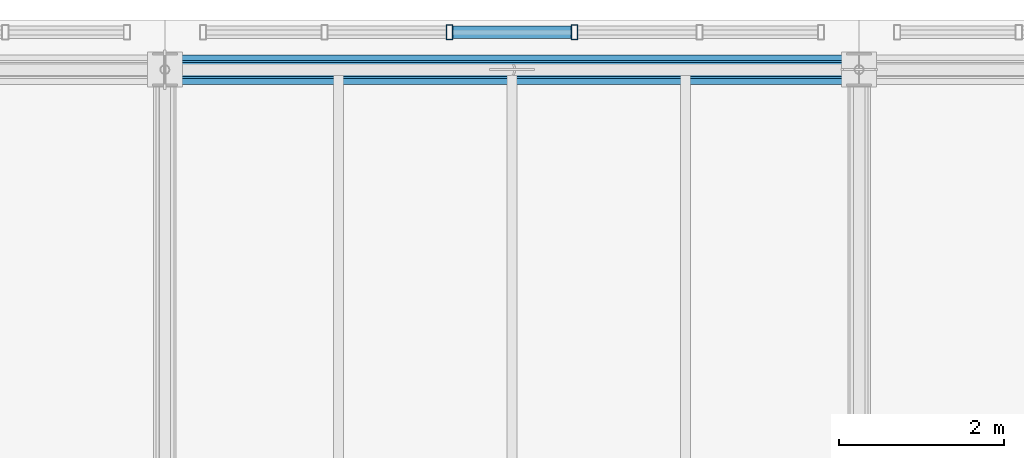
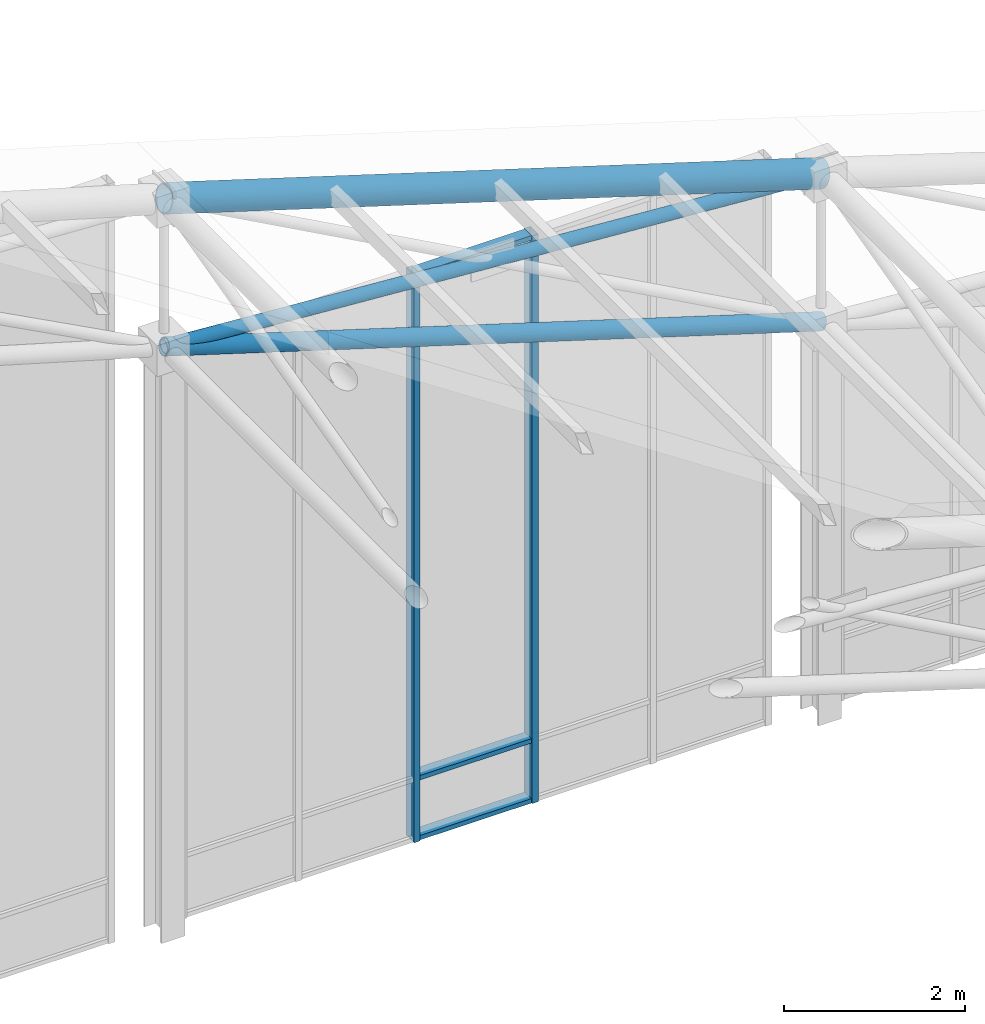
# One storey, part 82 of 144: 8 members, 1 element without a shape of its own.
"""IFC4 building model written with IfcOpenShell, lengths in metres."""

from ifc_helpers import new_model, si_unit, direction, frame, origin, origin_2d, place, context, subcontext, project, spatial, hollow_rectangle, hollow_circle, extrude, material, layer, layer_set, material_profile, profile_set, type_object, element, aggregate, save


model = new_model("IFC4")

# Units and contexts
model_context = context("Model", 3, precision=1e-05, world=origin(), true_north=direction((0.0, 1.0)))
body_context = subcontext(model_context, "Body", "Model", "MODEL_VIEW")
ifc_project = project(units=[si_unit("LENGTHUNIT", "METRE"), si_unit("AREAUNIT", "SQUARE_METRE"), si_unit("VOLUMEUNIT", "CUBIC_METRE"), si_unit("PLANEANGLEUNIT", "RADIAN"), si_unit("MASSUNIT", "GRAM", prefix="KILO")], contexts=[model_context])

# Site, building, storey
site_placement = place(None, origin())
site = spatial("IfcSite", under=ifc_project, at=site_placement, CompositionType="ELEMENT")
building_placement = place(site_placement, origin())
building = spatial("IfcBuilding", under=site, at=building_placement, Name="Zayran Congress Hotel", CompositionType="ELEMENT")
storey_placement = place(building_placement, frame((0.0, 0.0, 19.199951171875)))
storey = spatial("IfcBuildingStorey", under=building, at=storey_placement, Name="L04", CompositionType="ELEMENT", Elevation=19.199951171875)

# Members
ifc_material_1 = material(Name="Steel S355", Category="steel")
ifc_material_profile_1 = material_profile(ifc_material_1, hollow_circle(Radius=0.177734375, WallThickness=0.01611328125, at=origin_2d()), Name="CHS 355.6x16")
ifc_profile_set_1 = profile_set([ifc_material_profile_1], Name="Steel S355")
member_type_1 = type_object("IfcMemberType", Name="TP-SF-TC1", PredefinedType="CHORD", material=ifc_profile_set_1)
member_1_placement = place(storey_placement, frame((67.199951171875, 117.39990234375, 9.902099609375), z_axis=(0.955284210171, 0.0, -0.29568915739), x_axis=(0.0, 1.0, 0.0)))
element("IfcMember", 1, at=member_1_placement, inside=storey, type_object=member_type_1, Name="Space Frame Top Chord X 432", PredefinedType="CHORD", context=body_context, shape_type="SweptSolid", body=[
    extrude(hollow_circle(Radius=0.177734375, WallThickness=0.01611328125, at=origin_2d()), origin(), (0.0, 0.0, 1.0), 8.79345703125),
])
ifc_material_profile_2 = material_profile(ifc_material_1, hollow_circle(Radius=0.109619140625, WallThickness=0.010009765625, at=origin_2d()), Name="CHS 219.1x10")
ifc_profile_set_2 = profile_set([ifc_material_profile_2], Name="Steel S355")
member_type_2 = type_object("IfcMemberType", Name="TP-SF-BC1", PredefinedType="CHORD", material=ifc_profile_set_2)
member_2_placement = place(storey_placement, frame((67.199951171875, 117.39990234375, 7.900146484375), z_axis=(0.955284210171, 0.0, -0.29568915739), x_axis=(0.0, 1.0, 0.0)))
element("IfcMember", 2, at=member_2_placement, inside=storey, type_object=member_type_2, Name="Space Frame Bottom Chord X 433", PredefinedType="CHORD", context=body_context, shape_type="SweptSolid", body=[
    extrude(hollow_circle(Radius=0.109619140625, WallThickness=0.010009765625, at=origin_2d()), origin(), (0.0, 0.0, 1.0), 8.79345703125),
])
ifc_material_profile_3 = material_profile(ifc_material_1, hollow_circle(Radius=0.084228515625, WallThickness=0.008056640625, at=origin_2d()), Name="CHS 168.3x8")
ifc_profile_set_3 = profile_set([ifc_material_profile_3], Name="Steel S355")
member_type_3 = type_object("IfcMemberType", Name="TP-SF-DG1", PredefinedType="BRACE", material=ifc_profile_set_3)
member_3_placement = place(storey_placement, frame((67.199951171875, 117.39990234375, 7.900146484375), z_axis=(0.997474421553, 0.0, -0.071026603098), x_axis=(0.0, 1.0, 0.0)))
element("IfcMember", 3, at=member_3_placement, inside=storey, type_object=member_type_3, Name="Space Frame Web Diagonal X 434", PredefinedType="BRACE", context=body_context, shape_type="SweptSolid", body=[
    extrude(hollow_circle(Radius=0.084228515625, WallThickness=0.008056640625, at=origin_2d()), origin(), (0.0, 0.0, 1.0), 8.42138671875),
])

# Curtain wall, members
ifc_material_2 = material(Name="Anodised aluminium and low-E insulated glass", Category="aluminium")
ifc_layer = layer(ifc_material_2, 0.179931640625)
ifc_layer_set = layer_set([ifc_layer], Name="Anodised aluminium and low-E insulated glass")
curtain_wall_type = type_object("IfcCurtainWallType", Name="CW-V1CL-L04-CW-22-7560-7670", PredefinedType="USERDEFINED", material=ifc_layer_set)
curtain_wall_placement = place(storey_placement, origin())
curtain_wall = element("IfcCurtainWall", 4, at=curtain_wall_placement, inside=storey, type_object=curtain_wall_type, Name="CW-V1CLN-7", ObjectType="CURTAIN WALL", PredefinedType="USERDEFINED")
ifc_material_3 = material(Name="Anodised aluminium framing", Category="aluminium")
ifc_material_profile_4 = material_profile(ifc_material_3, hollow_rectangle(XDim=0.080078125, YDim=0.179931640625, WallThickness=0.0048828125, at=origin_2d()), Name="RHS 180x80x5")
ifc_profile_set_4 = profile_set([ifc_material_profile_4], Name="Anodised aluminium framing")
member_type_4 = type_object("IfcMemberType", Name="TP-CWM-01", PredefinedType="MULLION", material=ifc_profile_set_4)
member_4_placement = place(storey_placement, frame((72.156005859375, 117.85009765625, -0.219970703125), z_axis=(0.0, 0.0, 1.0), x_axis=(1.0, 0.0, 0.0)))
member_4 = element("IfcMember", 5, at=member_4_placement, type_object=member_type_4, Name="CW-V1CLN-7-M02", PredefinedType="MULLION", context=body_context, shape_type="SweptSolid", body=[
    extrude(hollow_rectangle(XDim=0.080078125, YDim=0.179931640625, WallThickness=0.0048828125, at=origin_2d()), origin(), (0.0, 0.0, 1.0), 7.669921875),
])
member_5_placement = place(storey_placement, frame((70.64404296875, 117.85009765625, -0.219970703125), z_axis=(0.0, 0.0, 1.0), x_axis=(1.0, 0.0, 0.0)))
member_5 = element("IfcMember", 6, at=member_5_placement, type_object=member_type_4, Name="CW-V1CLN-7-M03", PredefinedType="MULLION", context=body_context, shape_type="SweptSolid", body=[
    extrude(hollow_rectangle(XDim=0.080078125, YDim=0.179931640625, WallThickness=0.0048828125, at=origin_2d()), origin(), (0.0, 0.0, 1.0), 7.669921875),
])
ifc_material_profile_5 = material_profile(ifc_material_3, hollow_rectangle(XDim=0.06005859375, YDim=0.14990234375, WallThickness=0.00390625, at=origin_2d()), Name="RHS 150x60x4")
ifc_profile_set_5 = profile_set([ifc_material_profile_5], Name="Anodised aluminium framing")
member_type_5 = type_object("IfcMemberType", Name="TP-CWT-01", PredefinedType="USERDEFINED", material=ifc_profile_set_5)
member_6_placement = place(storey_placement, frame((72.115966796875, 117.85009765625, -0.18994140625), z_axis=(-1.0, 0.0, 0.0), x_axis=(0.0, 0.0, 1.0)))
member_6 = element("IfcMember", 7, at=member_6_placement, type_object=member_type_5, Name="CW-V1CLN-7-T02-0", ObjectType="TRANSOM", PredefinedType="USERDEFINED", context=body_context, shape_type="SweptSolid", body=[
    extrude(hollow_rectangle(XDim=0.06005859375, YDim=0.14990234375, WallThickness=0.00390625, at=origin_2d()), origin(), (0.0, 0.0, 1.0), 1.431884765625),
])
member_7_placement = place(storey_placement, frame((72.115966796875, 117.85009765625, 0.6201171875), z_axis=(-1.0, 0.0, 0.0), x_axis=(0.0, 0.0, 1.0)))
member_7 = element("IfcMember", 8, at=member_7_placement, type_object=member_type_5, Name="CW-V1CLN-7-T02-1", ObjectType="TRANSOM", PredefinedType="USERDEFINED", context=body_context, shape_type="SweptSolid", body=[
    extrude(hollow_rectangle(XDim=0.06005859375, YDim=0.14990234375, WallThickness=0.00390625, at=origin_2d()), origin(), (0.0, 0.0, 1.0), 1.431884765625),
])
member_8_placement = place(storey_placement, frame((72.115966796875, 117.85009765625, 7.420166015625), z_axis=(-1.0, 0.0, 0.0), x_axis=(0.0, 0.0, 1.0)))
member_8 = element("IfcMember", 9, at=member_8_placement, type_object=member_type_5, Name="CW-V1CLN-7-T02-2", ObjectType="TRANSOM", PredefinedType="USERDEFINED", context=body_context, shape_type="SweptSolid", body=[
    extrude(hollow_rectangle(XDim=0.06005859375, YDim=0.14990234375, WallThickness=0.00390625, at=origin_2d()), origin(), (0.0, 0.0, 1.0), 1.431884765625),
])
aggregate(curtain_wall, [member_4, member_5, member_6, member_7, member_8])

save(model, "model.ifc")
